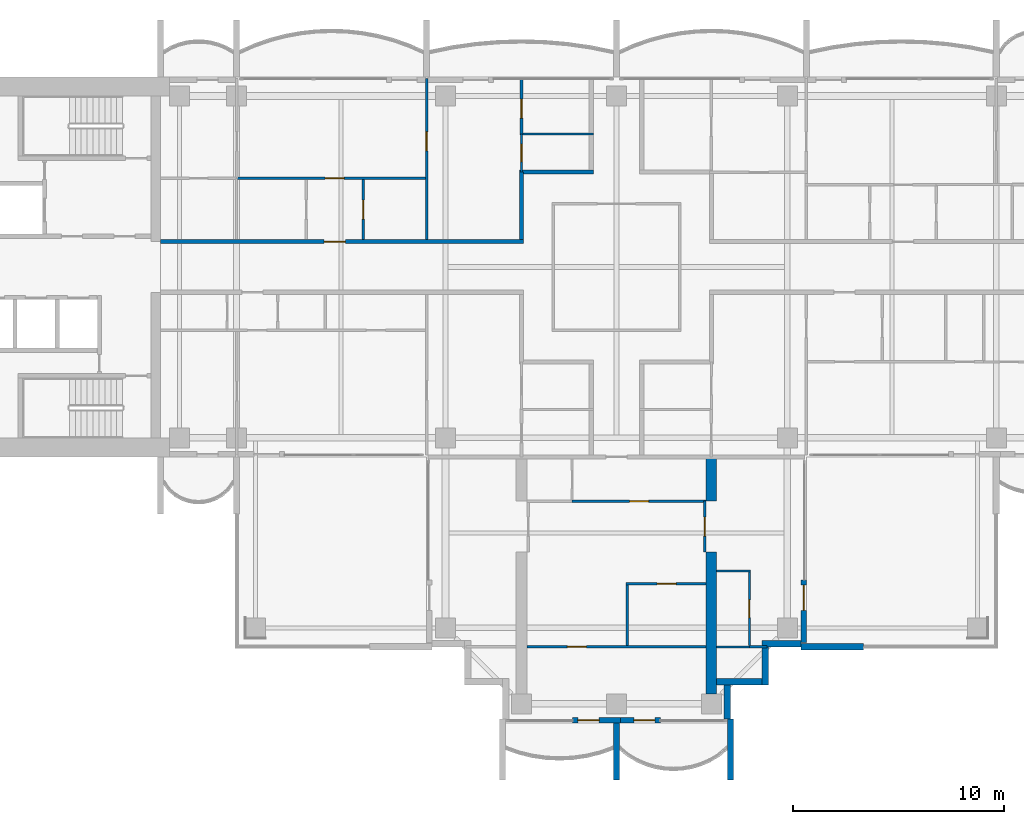
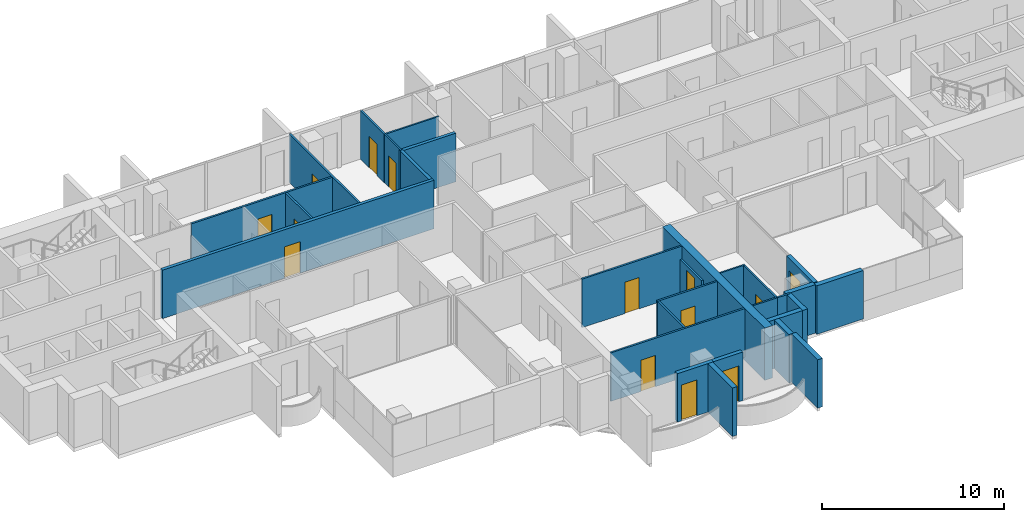
# One storey, part 10 of 17: 29 walls, 14 doors, 14 openings.
"""IFC4 building model written with IfcOpenShell, lengths in metres."""

from ifc_helpers import new_model, si_unit, direction, frame, frame_2d, origin, place, context, subcontext, project, spatial, polyline, rectangle, outline, extrude, material, layer, layer_set, material_profile, profile_set, type_object, element, fill, save


model = new_model("IFC4")

# Units and contexts
model_context = context("Model", 3, precision=1e-05, world=origin(), true_north=direction((0.0, 1.0)))
body_context = subcontext(model_context, "Body", "Model", "MODEL_VIEW")
ifc_project = project(units=[si_unit("LENGTHUNIT", "METRE"), si_unit("AREAUNIT", "SQUARE_METRE"), si_unit("VOLUMEUNIT", "CUBIC_METRE"), si_unit("PLANEANGLEUNIT", "RADIAN"), si_unit("MASSUNIT", "GRAM", prefix="KILO")], contexts=[model_context])

# Site, building, storey
site_placement = place(None, origin())
site = spatial("IfcSite", under=ifc_project, at=site_placement, CompositionType="ELEMENT")
building_placement = place(site_placement, origin())
building = spatial("IfcBuilding", under=site, at=building_placement, Name="Perihelion Cross Residences", CompositionType="ELEMENT")
storey_placement = place(building_placement, frame((0.0, 0.0, 184.10009765625)))
storey = spatial("IfcBuildingStorey", under=building, at=storey_placement, Name="L45", CompositionType="ELEMENT", Elevation=184.10009765625)

# Wall, opening, door
ifc_material_1 = material(Name="Plasterboard partition")
ifc_layer_1 = layer(ifc_material_1, 0.199951171875)
ifc_layer_set_1 = layer_set([ifc_layer_1], Name="Apartment separation wall 200")
wall_type_1 = type_object("IfcWallType", Name="Apartment separation wall 200", PredefinedType="PARTITIONING", material=ifc_layer_set_1)
wall_1_placement = place(storey_placement, frame((-21.60009765625, 1.199951171875, 0.0), z_axis=(0.0, 0.0, 1.0), x_axis=(1.0, 0.0, 0.0)))
wall_1 = element("IfcWall", 1, at=wall_1_placement, inside=storey, type_object=wall_type_1, Name="Partition L45 W013", PredefinedType="PARTITIONING", context=body_context, shape_type="SweptSolid", body=[
    extrude(rectangle(XDim=17.2001953125, YDim=0.199951171875, at=frame_2d((8.60009765625, 0.0))), origin(), (0.0, 0.0, 1.0), 3.25),
])
opening_1_placement = place(wall_1_placement, frame((7.75, 0.0, 0.0)))
opening_1 = element("IfcOpeningElement", 2, at=opening_1_placement, cuts=wall_1, Name="Opening L45.A42", PredefinedType="OPENING", context=body_context, shape_type="SweptSolid", body=[
    extrude(rectangle(XDim=1.0, YDim=2.10009765625, at=frame_2d((0.5, 1.050048828125))), frame((0.0, 0.10986328125, 0.0), z_axis=(0.0, -1.0, 0.0), x_axis=(1.0, 0.0, 0.0)), (0.0, 0.0, 1.0), 0.219970703125),
])
ifc_material_2 = material(Name="Timber door leaf", Category="wood")
door_type_1 = type_object("IfcDoorType", Name="Flat entrance door 1000 x 2100", OperationType="SINGLE_SWING_LEFT", PredefinedType="DOOR", material=ifc_material_2)
door_1_placement = place(opening_1_placement, origin())
door_1 = element("IfcDoor", 3, at=door_1_placement, inside=storey, type_object=door_type_1, Name="Door L45.A42", OperationType="SINGLE_SWING_RIGHT", OverallHeight=2.10009765625, OverallWidth=1.0, PredefinedType="DOOR", context=body_context, shape_type="SweptSolid", body=[
    extrude(rectangle(XDim=1.0, YDim=2.10009765625, at=frame_2d((0.5, 1.050048828125))), frame((0.0, 0.02490234375, 0.0), z_axis=(0.0, -1.0, 0.0), x_axis=(1.0, 0.0, 0.0)), (0.0, 0.0, 1.0), 0.050048828125),
])
fill(opening_1, door_1)

# Walls
wall_2_placement = place(storey_placement, frame((-4.5, 1.300048828125, 0.0), z_axis=(0.0, 0.0, 1.0), x_axis=(0.0, 1.0, 0.0)))
element("IfcWall", 4, at=wall_2_placement, inside=storey, type_object=wall_type_1, Name="Partition L45 W014", PredefinedType="PARTITIONING", context=body_context, shape_type="SweptSolid", body=[
    extrude(rectangle(XDim=3.199951171875, YDim=0.199951171875, at=frame_2d((1.60009765625, 0.0))), origin(), (0.0, 0.0, 1.0), 3.25),
])
wall_3_placement = place(storey_placement, frame((-4.60009765625, 4.5, 0.0), z_axis=(0.0, 0.0, 1.0), x_axis=(1.0, 0.0, 0.0)))
element("IfcWall", 5, at=wall_3_placement, inside=storey, type_object=wall_type_1, Name="Partition L45 W015", PredefinedType="PARTITIONING", context=body_context, shape_type="SweptSolid", body=[
    extrude(rectangle(XDim=3.5, YDim=0.199951171875, at=frame_2d((1.75, 0.0))), origin(), (0.0, 0.0, 1.0), 3.25),
])

# Wall, opening, door
ifc_material_3 = material(Name="Concrete C30/37, bronze-clad", Category="concrete")
ifc_layer_2 = layer(ifc_material_3, 0.25)
ifc_layer_set_2 = layer_set([ifc_layer_2], Name="Bronze-clad pier wall 250")
wall_type_2 = type_object("IfcWallType", Name="Bronze-clad pier wall 250", PredefinedType="SOLIDWALL", material=ifc_layer_set_2)
wall_4_placement = place(storey_placement, frame((-2.074951171875, -21.47509765625, 0.0), z_axis=(0.0, 0.0, 1.0), x_axis=(1.0, 0.0, 0.0)))
wall_4 = element("IfcWall", 6, at=wall_4_placement, inside=storey, type_object=wall_type_2, Name="Wall FW1 L45 south tip south bay 1 pier", PredefinedType="SOLIDWALL", context=body_context, shape_type="SweptSolid", body=[
    extrude(rectangle(XDim=2.27490234375, YDim=0.25, at=frame_2d((1.137451171875, 0.0))), origin(), (0.0, 0.0, 1.0), 3.25),
])
opening_2_placement = place(wall_4_placement, frame((0.25, 0.0, 0.0)))
opening_2 = element("IfcOpeningElement", 7, at=opening_2_placement, cuts=wall_4, Name="Opening L45.E10", PredefinedType="OPENING", context=body_context, shape_type="SweptSolid", body=[
    extrude(rectangle(XDim=1.0, YDim=2.39990234375, at=frame_2d((0.5, 1.199951171875))), frame((0.0, 0.135009765625, 0.0), z_axis=(0.0, -1.0, 0.0), x_axis=(1.0, 0.0, 0.0)), (0.0, 0.0, 1.0), 0.27001953125),
])
ifc_material_4 = material(Name="Bronze anodised aluminium, glazed", Category="aluminium")
door_type_2 = type_object("IfcDoorType", Name="Balcony door 1000 x 2400", OperationType="NOTDEFINED", PredefinedType="DOOR", material=ifc_material_4)
door_2_placement = place(opening_2_placement, origin())
door_2 = element("IfcDoor", 8, at=door_2_placement, inside=storey, type_object=door_type_2, Name="Door L45.E10 south tip south bay 1", OperationType="SINGLE_SWING_RIGHT", OverallHeight=2.39990234375, OverallWidth=1.0, PredefinedType="DOOR", context=body_context, shape_type="SweptSolid", body=[
    extrude(rectangle(XDim=1.0, YDim=2.39990234375, at=frame_2d((0.5, 1.199951171875))), frame((0.0, 0.02490234375, 0.0), z_axis=(0.0, -1.0, 0.0), x_axis=(1.0, 0.0, 0.0)), (0.0, 0.0, 1.0), 0.050048828125),
])
fill(opening_2, door_2)

wall_5_placement = place(storey_placement, frame((0.199951171875, -21.47509765625, 0.0), z_axis=(0.0, 0.0, 1.0), x_axis=(1.0, 0.0, 0.0)))
wall_5 = element("IfcWall", 9, at=wall_5_placement, inside=storey, type_object=wall_type_2, Name="Wall FW1 L45 south tip south bay 2 pier", PredefinedType="SOLIDWALL", context=body_context, shape_type="SweptSolid", body=[
    extrude(rectangle(XDim=1.875, YDim=0.25, at=frame_2d((0.9375, 0.0))), origin(), (0.0, 0.0, 1.0), 3.25),
])
opening_3_placement = place(wall_5_placement, frame((0.625, 0.0, 0.0)))
opening_3 = element("IfcOpeningElement", 10, at=opening_3_placement, cuts=wall_5, Name="Opening L45.E11", PredefinedType="OPENING", context=body_context, shape_type="SweptSolid", body=[
    extrude(rectangle(XDim=1.0, YDim=2.39990234375, at=frame_2d((0.5, 1.199951171875))), frame((0.0, 0.135009765625, 0.0), z_axis=(0.0, -1.0, 0.0), x_axis=(1.0, 0.0, 0.0)), (0.0, 0.0, 1.0), 0.27001953125),
])
door_3_placement = place(opening_3_placement, origin())
door_3 = element("IfcDoor", 11, at=door_3_placement, inside=storey, type_object=door_type_2, Name="Door L45.E11 south tip south bay 2", OperationType="SINGLE_SWING_LEFT", OverallHeight=2.39990234375, OverallWidth=1.0, PredefinedType="DOOR", context=body_context, shape_type="SweptSolid", body=[
    extrude(rectangle(XDim=1.0, YDim=2.39990234375, at=frame_2d((0.5, 1.199951171875))), frame((0.0, 0.02490234375, 0.0), z_axis=(0.0, -1.0, 0.0), x_axis=(1.0, 0.0, 0.0)), (0.0, 0.0, 1.0), 0.050048828125),
])
fill(opening_3, door_3)

wall_6_placement = place(storey_placement, frame((8.875, -17.800048828125, 0.0), z_axis=(0.0, 0.0, 1.0), x_axis=(0.0, 1.0, 0.0)))
wall_6 = element("IfcWall", 12, at=wall_6_placement, inside=storey, type_object=wall_type_2, Name="Wall FW1 L45 south side east bay 1 pier", PredefinedType="SOLIDWALL", context=body_context, shape_type="SweptSolid", body=[
    extrude(rectangle(XDim=2.97509765625, YDim=0.25, at=frame_2d((1.487548828125, 0.0))), origin(), (0.0, 0.0, 1.0), 3.25),
])
opening_4_placement = place(wall_6_placement, frame((1.52490234375, 0.0, 0.0)))
opening_4 = element("IfcOpeningElement", 13, at=opening_4_placement, cuts=wall_6, Name="Opening L45.E12", PredefinedType="OPENING", context=body_context, shape_type="SweptSolid", body=[
    extrude(rectangle(XDim=1.199951171875, YDim=2.39990234375, at=frame_2d((0.60009765625, 1.199951171875))), frame((0.0, 0.135009765625, 0.0), z_axis=(0.0, -1.0, 0.0), x_axis=(1.0, 0.0, 0.0)), (0.0, 0.0, 1.0), 0.27001953125),
])
ifc_material_5 = material(Name="Bronze anodised aluminium, glazed", Category="aluminium")
door_type_3 = type_object("IfcDoorType", Name="Balcony door 1200 x 2400", OperationType="NOTDEFINED", PredefinedType="DOOR", material=ifc_material_5)
door_4_placement = place(opening_4_placement, origin())
door_4 = element("IfcDoor", 14, at=door_4_placement, inside=storey, type_object=door_type_3, Name="Door L45.E12 south side east bay 1", OperationType="SINGLE_SWING_RIGHT", OverallHeight=2.39990234375, OverallWidth=1.199951171875, PredefinedType="DOOR", context=body_context, shape_type="SweptSolid", body=[
    extrude(rectangle(XDim=1.199951171875, YDim=2.39990234375, at=frame_2d((0.60009765625, 1.199951171875))), frame((0.0, 0.02490234375, 0.0), z_axis=(0.0, -1.0, 0.0), x_axis=(1.0, 0.0, 0.0)), (0.0, 0.0, 1.0), 0.050048828125),
])
fill(opening_4, door_4)

# Walls
ifc_material_6 = material(Name="Concrete C30/37, bronze-clad", Category="concrete")
ifc_layer_3 = layer(ifc_material_6, 0.300048828125)
ifc_layer_set_3 = layer_set([ifc_layer_3], Name="Bronze-clad serration wall 300")
wall_type_3 = type_object("IfcWallType", Name="Bronze-clad serration wall 300", PredefinedType="SOLIDWALL", material=ifc_layer_set_3)
wall_7_placement = place(storey_placement, frame((5.25, -21.419921875, 0.0), z_axis=(0.0, 0.0, 1.0), x_axis=(0.0, 1.0, 0.0)))
element("IfcWall", 15, at=wall_7_placement, inside=storey, type_object=wall_type_3, Name="Wall SR1 L45 south corner south-east 1", PredefinedType="SOLIDWALL", context=body_context, shape_type="SweptSolid", body=[
    extrude(rectangle(XDim=1.619873046875, YDim=0.300048828125, at=frame_2d((0.81005859375, 0.0))), origin(), (0.0, 0.0, 1.0), 3.25),
])
wall_8_placement = place(storey_placement, frame((4.75, -19.64990234375, 0.0), z_axis=(0.0, 0.0, 1.0), x_axis=(1.0, 0.0, 0.0)))
element("IfcWall", 16, at=wall_8_placement, inside=storey, type_object=wall_type_3, Name="Wall SR1 L45 south corner south-east 2", PredefinedType="SOLIDWALL", context=body_context, shape_type="SweptSolid", body=[
    extrude(rectangle(XDim=2.14990234375, YDim=0.300048828125, at=frame_2d((1.074951171875, 0.0))), origin(), (0.0, 0.0, 1.0), 3.25),
])
wall_9_placement = place(storey_placement, frame((7.050048828125, -19.800048828125, 0.0), z_axis=(0.0, 0.0, 1.0), x_axis=(0.0, 1.0, 0.0)))
element("IfcWall", 17, at=wall_9_placement, inside=storey, type_object=wall_type_3, Name="Wall SR1 L45 south corner south-east 3", PredefinedType="SOLIDWALL", context=body_context, shape_type="SweptSolid", body=[
    extrude(rectangle(XDim=1.800048828125, YDim=0.300048828125, at=frame_2d((0.89990234375, 0.0))), origin(), (0.0, 0.0, 1.0), 3.25),
])
wall_10_placement = place(storey_placement, frame((6.89990234375, -17.85009765625, 0.0), z_axis=(0.0, 0.0, 1.0), x_axis=(1.0, 0.0, 0.0)))
element("IfcWall", 18, at=wall_10_placement, inside=storey, type_object=wall_type_3, Name="Wall SR1 L45 south corner south-east 4", PredefinedType="SOLIDWALL", context=body_context, shape_type="SweptSolid", body=[
    extrude(rectangle(XDim=1.85009765625, YDim=0.300048828125, at=frame_2d((0.925048828125, 0.0))), origin(), (0.0, 0.0, 1.0), 3.25),
])

# Wall, opening, door
ifc_material_7 = material(Name="Plasterboard partition")
ifc_layer_4 = layer(ifc_material_7, 0.1201171875)
ifc_layer_set_4 = layer_set([ifc_layer_4], Name="Infill panel 120")
wall_type_4 = type_object("IfcWallType", Name="Infill panel 120", PredefinedType="PARTITIONING", material=ifc_layer_set_4)
wall_11_placement = place(storey_placement, frame((4.18994140625, -11.10009765625, 0.0), z_axis=(0.0, 0.0, 1.0), x_axis=(0.0, -1.0, 0.0)))
wall_11 = element("IfcWall", 19, at=wall_11_placement, inside=storey, type_object=wall_type_4, Name="Partition L45 WI01", PredefinedType="PARTITIONING", context=body_context, shape_type="SweptSolid", body=[
    extrude(rectangle(XDim=2.39990234375, YDim=0.1201171875, at=frame_2d((1.199951171875, 0.0))), origin(), (0.0, 0.0, 1.0), 2.39990234375),
])
opening_5_placement = place(wall_11_placement, frame((0.75, 0.0, 0.0)))
opening_5 = element("IfcOpeningElement", 20, at=opening_5_placement, cuts=wall_11, Name="Opening L45.A44", PredefinedType="OPENING", context=body_context, shape_type="SweptSolid", body=[
    extrude(rectangle(XDim=0.89990234375, YDim=2.10009765625, at=frame_2d((0.449951171875, 1.050048828125))), frame((0.0, 0.070068359375, 0.0), z_axis=(0.0, -1.0, 0.0), x_axis=(1.0, 0.0, 0.0)), (0.0, 0.0, 1.0), 0.14013671875),
])
ifc_material_8 = material(Name="Timber door leaf", Category="wood")
door_type_4 = type_object("IfcDoorType", Name="Interior room door 900 x 2100", OperationType="SINGLE_SWING_LEFT", PredefinedType="DOOR", material=ifc_material_8)
door_5_placement = place(opening_5_placement, origin())
door_5 = element("IfcDoor", 21, at=door_5_placement, inside=storey, type_object=door_type_4, Name="Door L45.A44", OperationType="SINGLE_SWING_LEFT", OverallHeight=2.10009765625, OverallWidth=0.89990234375, PredefinedType="DOOR", context=body_context, shape_type="SweptSolid", body=[
    extrude(rectangle(XDim=0.89990234375, YDim=2.10009765625, at=frame_2d((0.449951171875, 1.050048828125))), frame((0.0, 0.02490234375, 0.0), z_axis=(0.0, -1.0, 0.0), x_axis=(1.0, 0.0, 0.0)), (0.0, 0.0, 1.0), 0.050048828125),
])
fill(opening_5, door_5)

ifc_material_9 = material(Name="Plasterboard partition")
ifc_layer_5 = layer(ifc_material_9, 0.1201171875)
ifc_layer_set_5 = layer_set([ifc_layer_5], Name="Partition wall 120")
wall_type_5 = type_object("IfcWallType", Name="Partition wall 120", PredefinedType="PARTITIONING", material=ifc_layer_set_5)
wall_12_placement = place(storey_placement, frame((-12.0, 1.300048828125, 0.0), z_axis=(0.0, 0.0, 1.0), x_axis=(0.0, 1.0, 0.0)))
wall_12 = element("IfcWall", 22, at=wall_12_placement, inside=storey, type_object=wall_type_5, Name="Partition L45 W043", PredefinedType="PARTITIONING", context=body_context, shape_type="SweptSolid", body=[
    extrude(rectangle(XDim=2.83984375, YDim=0.1201171875, at=frame_2d((1.419921875, 0.0))), origin(), (0.0, 0.0, 1.0), 3.25),
])
opening_6_placement = place(wall_12_placement, frame((0.969970703125, 0.0, 0.0)))
opening_6 = element("IfcOpeningElement", 23, at=opening_6_placement, cuts=wall_12, Name="Opening L45.A20", PredefinedType="OPENING", context=body_context, shape_type="SweptSolid", body=[
    extrude(rectangle(XDim=0.89990234375, YDim=2.10009765625, at=frame_2d((0.449951171875, 1.050048828125))), frame((0.0, 0.070068359375, 0.0), z_axis=(0.0, -1.0, 0.0), x_axis=(1.0, 0.0, 0.0)), (0.0, 0.0, 1.0), 0.14013671875),
])
door_6_placement = place(opening_6_placement, origin())
door_6 = element("IfcDoor", 24, at=door_6_placement, inside=storey, type_object=door_type_4, Name="Door L45.A20", OperationType="SINGLE_SWING_LEFT", OverallHeight=2.10009765625, OverallWidth=0.89990234375, PredefinedType="DOOR", context=body_context, shape_type="SweptSolid", body=[
    extrude(rectangle(XDim=0.89990234375, YDim=2.10009765625, at=frame_2d((0.449951171875, 1.050048828125))), frame((0.0, 0.02490234375, 0.0), z_axis=(0.0, -1.0, 0.0), x_axis=(1.0, 0.0, 0.0)), (0.0, 0.0, 1.0), 0.050048828125),
])
fill(opening_6, door_6)

wall_13_placement = place(storey_placement, frame((-18.0, 4.199951171875, 0.0), z_axis=(0.0, 0.0, 1.0), x_axis=(1.0, 0.0, 0.0)))
wall_13 = element("IfcWall", 25, at=wall_13_placement, inside=storey, type_object=wall_type_5, Name="Partition L45 W044", PredefinedType="PARTITIONING", context=body_context, shape_type="SweptSolid", body=[
    extrude(rectangle(XDim=9.06005859375, YDim=0.1201171875, at=frame_2d((4.530029296875, 0.0))), origin(), (0.0, 0.0, 1.0), 3.25),
])
opening_7_placement = place(wall_13_placement, frame((4.199951171875, 0.0, 0.0)))
opening_7 = element("IfcOpeningElement", 26, at=opening_7_placement, cuts=wall_13, Name="Opening L45.A21", PredefinedType="OPENING", context=body_context, shape_type="SweptSolid", body=[
    extrude(rectangle(XDim=0.89990234375, YDim=2.10009765625, at=frame_2d((0.449951171875, 1.050048828125))), frame((0.0, 0.070068359375, 0.0), z_axis=(0.0, -1.0, 0.0), x_axis=(1.0, 0.0, 0.0)), (0.0, 0.0, 1.0), 0.14013671875),
])
door_7_placement = place(opening_7_placement, origin())
door_7 = element("IfcDoor", 27, at=door_7_placement, inside=storey, type_object=door_type_4, Name="Door L45.A21", OperationType="SINGLE_SWING_RIGHT", OverallHeight=2.10009765625, OverallWidth=0.89990234375, PredefinedType="DOOR", context=body_context, shape_type="SweptSolid", body=[
    extrude(rectangle(XDim=0.89990234375, YDim=2.10009765625, at=frame_2d((0.449951171875, 1.050048828125))), frame((0.0, 0.02490234375, 0.0), z_axis=(0.0, -1.0, 0.0), x_axis=(1.0, 0.0, 0.0)), (0.0, 0.0, 1.0), 0.050048828125),
])
fill(opening_7, door_7)

wall_14_placement = place(storey_placement, frame((-9.0, 8.919921875, 0.0), z_axis=(0.0, 0.0, 1.0), x_axis=(0.0, -1.0, 0.0)))
wall_14 = element("IfcWall", 28, at=wall_14_placement, inside=storey, type_object=wall_type_5, Name="Partition L45 W045", PredefinedType="PARTITIONING", context=body_context, shape_type="SweptSolid", body=[
    extrude(rectangle(XDim=7.619873046875, YDim=0.1201171875, at=frame_2d((3.81005859375, 0.0))), origin(), (0.0, 0.0, 1.0), 3.25),
])
opening_8_placement = place(wall_14_placement, frame((2.52001953125, 0.0, 0.0)))
opening_8 = element("IfcOpeningElement", 29, at=opening_8_placement, cuts=wall_14, Name="Opening L45.A22", PredefinedType="OPENING", context=body_context, shape_type="SweptSolid", body=[
    extrude(rectangle(XDim=0.89990234375, YDim=2.10009765625, at=frame_2d((0.449951171875, 1.050048828125))), frame((0.0, 0.070068359375, 0.0), z_axis=(0.0, -1.0, 0.0), x_axis=(1.0, 0.0, 0.0)), (0.0, 0.0, 1.0), 0.14013671875),
])
door_8_placement = place(opening_8_placement, origin())
door_8 = element("IfcDoor", 30, at=door_8_placement, inside=storey, type_object=door_type_4, Name="Door L45.A22", OperationType="SINGLE_SWING_RIGHT", OverallHeight=2.10009765625, OverallWidth=0.89990234375, PredefinedType="DOOR", context=body_context, shape_type="SweptSolid", body=[
    extrude(rectangle(XDim=0.89990234375, YDim=2.10009765625, at=frame_2d((0.449951171875, 1.050048828125))), frame((0.0, 0.02490234375, 0.0), z_axis=(0.0, -1.0, 0.0), x_axis=(1.0, 0.0, 0.0)), (0.0, 0.0, 1.0), 0.050048828125),
])
fill(opening_8, door_8)

wall_15_placement = place(storey_placement, frame((-4.5, 8.919921875, 0.0), z_axis=(0.0, 0.0, 1.0), x_axis=(0.0, -1.0, 0.0)))
wall_15 = element("IfcWall", 31, at=wall_15_placement, inside=storey, type_object=wall_type_5, Name="Partition L45 W051", PredefinedType="PARTITIONING", context=body_context, shape_type="SweptSolid", body=[
    extrude(rectangle(XDim=2.619873046875, YDim=0.1201171875, at=frame_2d((1.31005859375, 0.0))), origin(), (0.0, 0.0, 1.0), 3.25),
])
opening_9_placement = place(wall_15_placement, frame((0.969970703125, 0.0, 0.0)))
opening_9 = element("IfcOpeningElement", 32, at=opening_9_placement, cuts=wall_15, Name="Opening L45.A23", PredefinedType="OPENING", context=body_context, shape_type="SweptSolid", body=[
    extrude(rectangle(XDim=0.89990234375, YDim=2.10009765625, at=frame_2d((0.449951171875, 1.050048828125))), frame((0.0, 0.070068359375, 0.0), z_axis=(0.0, -1.0, 0.0), x_axis=(1.0, 0.0, 0.0)), (0.0, 0.0, 1.0), 0.14013671875),
])
door_9_placement = place(opening_9_placement, origin())
door_9 = element("IfcDoor", 33, at=door_9_placement, inside=storey, type_object=door_type_4, Name="Door L45.A23", OperationType="SINGLE_SWING_LEFT", OverallHeight=2.10009765625, OverallWidth=0.89990234375, PredefinedType="DOOR", context=body_context, shape_type="SweptSolid", body=[
    extrude(rectangle(XDim=0.89990234375, YDim=2.10009765625, at=frame_2d((0.449951171875, 1.050048828125))), frame((0.0, 0.02490234375, 0.0), z_axis=(0.0, -1.0, 0.0), x_axis=(1.0, 0.0, 0.0)), (0.0, 0.0, 1.0), 0.050048828125),
])
fill(opening_9, door_9)

wall_16_placement = place(storey_placement, frame((4.25, -11.10009765625, 0.0), z_axis=(0.0, 0.0, 1.0), x_axis=(-1.0, 0.0, 0.0)))
wall_16 = element("IfcWall", 34, at=wall_16_placement, inside=storey, type_object=wall_type_5, Name="Partition L45 W064", PredefinedType="PARTITIONING", context=body_context, shape_type="SweptSolid", body=[
    extrude(rectangle(XDim=6.35009765625, YDim=0.1201171875, at=frame_2d((3.175048828125, 0.0))), origin(), (0.0, 0.0, 1.0), 3.25),
])
opening_10_placement = place(wall_16_placement, frame((2.72509765625, 0.0, 0.0)))
opening_10 = element("IfcOpeningElement", 35, at=opening_10_placement, cuts=wall_16, Name="Opening L45.A36", PredefinedType="OPENING", context=body_context, shape_type="SweptSolid", body=[
    extrude(rectangle(XDim=0.89990234375, YDim=2.10009765625, at=frame_2d((0.449951171875, 1.050048828125))), frame((0.0, 0.070068359375, 0.0), z_axis=(0.0, -1.0, 0.0), x_axis=(1.0, 0.0, 0.0)), (0.0, 0.0, 1.0), 0.14013671875),
])
door_10_placement = place(opening_10_placement, origin())
door_10 = element("IfcDoor", 36, at=door_10_placement, inside=storey, type_object=door_type_4, Name="Door L45.A36", OperationType="SINGLE_SWING_LEFT", OverallHeight=2.10009765625, OverallWidth=0.89990234375, PredefinedType="DOOR", context=body_context, shape_type="SweptSolid", body=[
    extrude(rectangle(XDim=0.89990234375, YDim=2.10009765625, at=frame_2d((0.449951171875, 1.050048828125))), frame((0.0, 0.02490234375, 0.0), z_axis=(0.0, -1.0, 0.0), x_axis=(1.0, 0.0, 0.0)), (0.0, 0.0, 1.0), 0.050048828125),
])
fill(opening_10, door_10)

wall_17_placement = place(storey_placement, frame((4.25, -15.0, 0.0), z_axis=(0.0, 0.0, 1.0), x_axis=(-1.0, 0.0, 0.0)))
wall_17 = element("IfcWall", 37, at=wall_17_placement, inside=storey, type_object=wall_type_5, Name="Partition L45 W066", PredefinedType="PARTITIONING", context=body_context, shape_type="SweptSolid", body=[
    extrude(rectangle(XDim=3.81005859375, YDim=0.1201171875, at=frame_2d((1.905029296875, 0.0))), origin(), (0.0, 0.0, 1.0), 3.25),
])
opening_11_placement = place(wall_17_placement, frame((1.425048828125, 0.0, 0.0)))
opening_11 = element("IfcOpeningElement", 38, at=opening_11_placement, cuts=wall_17, Name="Opening L45.A37", PredefinedType="OPENING", context=body_context, shape_type="SweptSolid", body=[
    extrude(rectangle(XDim=0.89990234375, YDim=2.10009765625, at=frame_2d((0.449951171875, 1.050048828125))), frame((0.0, 0.070068359375, 0.0), z_axis=(0.0, -1.0, 0.0), x_axis=(1.0, 0.0, 0.0)), (0.0, 0.0, 1.0), 0.14013671875),
])
door_11_placement = place(opening_11_placement, origin())
door_11 = element("IfcDoor", 39, at=door_11_placement, inside=storey, type_object=door_type_4, Name="Door L45.A37", OperationType="SINGLE_SWING_RIGHT", OverallHeight=2.10009765625, OverallWidth=0.89990234375, PredefinedType="DOOR", context=body_context, shape_type="SweptSolid", body=[
    extrude(rectangle(XDim=0.89990234375, YDim=2.10009765625, at=frame_2d((0.449951171875, 1.050048828125))), frame((0.0, 0.02490234375, 0.0), z_axis=(0.0, -1.0, 0.0), x_axis=(1.0, 0.0, 0.0)), (0.0, 0.0, 1.0), 0.050048828125),
])
fill(opening_11, door_11)

# Wall
wall_18_placement = place(storey_placement, frame((0.5, -15.06005859375, 0.0), z_axis=(0.0, 0.0, 1.0), x_axis=(0.0, -1.0, 0.0)))
element("IfcWall", 40, at=wall_18_placement, inside=storey, type_object=wall_type_5, Name="Partition L45 W067", PredefinedType="PARTITIONING", context=body_context, shape_type="SweptSolid", body=[
    extrude(rectangle(XDim=2.8798828125, YDim=0.1201171875, at=frame_2d((1.43994140625, 0.0))), origin(), (0.0, 0.0, 1.0), 3.25),
])

# Wall, opening, door
wall_19_placement = place(storey_placement, frame((4.25, -18.0, 0.0), z_axis=(0.0, 0.0, 1.0), x_axis=(-1.0, 0.0, 0.0)))
wall_19 = element("IfcWall", 41, at=wall_19_placement, inside=storey, type_object=wall_type_5, Name="Partition L45 W068", PredefinedType="PARTITIONING", context=body_context, shape_type="SweptSolid", body=[
    extrude(rectangle(XDim=8.5, YDim=0.1201171875, at=frame_2d((4.25, 0.0))), origin(), (0.0, 0.0, 1.0), 3.25),
])
opening_12_placement = place(wall_19_placement, frame((5.675048828125, 0.0, 0.0)))
opening_12 = element("IfcOpeningElement", 42, at=opening_12_placement, cuts=wall_19, Name="Opening L45.A38", PredefinedType="OPENING", context=body_context, shape_type="SweptSolid", body=[
    extrude(rectangle(XDim=0.89990234375, YDim=2.10009765625, at=frame_2d((0.449951171875, 1.050048828125))), frame((0.0, 0.070068359375, 0.0), z_axis=(0.0, -1.0, 0.0), x_axis=(1.0, 0.0, 0.0)), (0.0, 0.0, 1.0), 0.14013671875),
])
door_12_placement = place(opening_12_placement, origin())
door_12 = element("IfcDoor", 43, at=door_12_placement, inside=storey, type_object=door_type_4, Name="Door L45.A38", OperationType="SINGLE_SWING_LEFT", OverallHeight=2.10009765625, OverallWidth=0.89990234375, PredefinedType="DOOR", context=body_context, shape_type="SweptSolid", body=[
    extrude(rectangle(XDim=0.89990234375, YDim=2.10009765625, at=frame_2d((0.449951171875, 1.050048828125))), frame((0.0, 0.02490234375, 0.0), z_axis=(0.0, -1.0, 0.0), x_axis=(1.0, 0.0, 0.0)), (0.0, 0.0, 1.0), 0.050048828125),
])
fill(opening_12, door_12)

# Walls
wall_20_placement = place(storey_placement, frame((7.1201171875, -18.0, 0.0), z_axis=(0.0, 0.0, 1.0), x_axis=(-1.0, 0.0, 0.0)))
element("IfcWall", 44, at=wall_20_placement, inside=storey, type_object=wall_type_5, Name="Partition L45 W071", PredefinedType="PARTITIONING", context=body_context, shape_type="SweptSolid", body=[
    extrude(rectangle(XDim=0.820068359375, YDim=0.1201171875, at=frame_2d((0.41015625, 0.0))), origin(), (0.0, 0.0, 1.0), 3.25),
])
ifc_material_10 = material(Name="Precast concrete C50/60", Category="concrete")
ifc_layer_6 = layer(ifc_material_10, 0.300048828125)
ifc_layer_set_6 = layer_set([ifc_layer_6], Name="Precast concrete C50/60 blade wall 300")
wall_type_6 = type_object("IfcWallType", Name="Precast concrete C50/60 blade wall 300", PredefinedType="SOLIDWALL", material=ifc_layer_set_6)
wall_21_placement = place(storey_placement, frame((0.0, -21.60009765625, 0.0), z_axis=(0.0, 0.0, 1.0), x_axis=(0.0, -1.0, 0.0)))
element("IfcWall", 45, at=wall_21_placement, inside=storey, type_object=wall_type_6, Name="Wall BL1 L45 no. 8", PredefinedType="SOLIDWALL", context=body_context, shape_type="SweptSolid", body=[
    extrude(rectangle(XDim=2.699951171875, YDim=0.300048828125, at=frame_2d((1.35009765625, 0.0))), origin(), (0.0, 0.0, 1.0), 3.25),
])
wall_22_placement = place(storey_placement, frame((5.39990234375, -21.419921875, 0.0), z_axis=(0.0, 0.0, 1.0), x_axis=(0.0, -1.0, 0.0)))
element("IfcWall", 46, at=wall_22_placement, inside=storey, type_object=wall_type_6, Name="Wall BL1 L45 no. 14", PredefinedType="SOLIDWALL", context=body_context, shape_type="SweptSolid", body=[
    extrude(rectangle(XDim=2.880126953125, YDim=0.300048828125, at=frame_2d((1.43994140625, 0.0))), origin(), (0.0, 0.0, 1.0), 3.25),
])
wall_23_placement = place(storey_placement, frame((8.75, -18.0, 0.0), z_axis=(0.0, 0.0, 1.0), x_axis=(1.0, 0.0, 0.0)))
element("IfcWall", 47, at=wall_23_placement, inside=storey, type_object=wall_type_6, Name="Wall BL1 L45 no. 15", PredefinedType="SOLIDWALL", context=body_context, shape_type="SweptSolid", body=[
    extrude(rectangle(XDim=2.949951171875, YDim=0.300048828125, at=frame_2d((1.47509765625, 0.0))), origin(), (0.0, 0.0, 1.0), 3.25),
])
ifc_material_11 = material(Name="Concrete C60/75", Category="concrete")
ifc_material_profile = material_profile(ifc_material_11, outline(polyline([(0.0, 0.0), (6.72509765625, 0.0), (6.72509765625, 2.64990234375), (9.125, 2.64990234375), (9.125, 0.0), (11.22509765625, 0.0), (11.22509765625, 3.5), (0.0, 3.5), (0.0, 0.0)])), Name="Tip spine wall")
ifc_profile_set = profile_set([ifc_material_profile], Name="Concrete C60/75")
wall_type_7 = type_object("IfcWallType", Name="Tip spine wall 500 with 1 door openings 11225 long 3500 high concrete C60/75", PredefinedType="SHEAR", material=ifc_profile_set)
wall_24_placement = place(storey_placement, frame((4.25, -20.22509765625, -0.25), z_axis=(1.0, 0.0, 0.0), x_axis=(0.0, 1.0, 0.0)))
element("IfcWall", 48, at=wall_24_placement, inside=storey, type_object=wall_type_7, Name="Shear wall SW41 L45 south east", PredefinedType="SHEAR", context=body_context, shape_type="SweptSolid", body=[
    extrude(outline(polyline([(0.0, 0.0), (6.72509765625, 0.0), (6.72509765625, 2.64990234375), (9.125, 2.64990234375), (9.125, 0.0), (11.22509765625, 0.0), (11.22509765625, 3.5), (0.0, 3.5), (0.0, 0.0)])), origin(), (0.0, 0.0, 1.0), 0.5),
])

# Wall, opening, door
ifc_material_12 = material(Name="Plasterboard partition")
ifc_layer_7 = layer(ifc_material_12, 0.10009765625)
ifc_layer_set_7 = layer_set([ifc_layer_7], Name="Wet room wall 100")
wall_type_8 = type_object("IfcWallType", Name="Wet room wall 100", PredefinedType="PARTITIONING", material=ifc_layer_set_7)
wall_25_placement = place(storey_placement, frame((-4.5, 6.300048828125, 0.0), z_axis=(0.0, 0.0, 1.0), x_axis=(0.0, -1.0, 0.0)))
wall_25 = element("IfcWall", 49, at=wall_25_placement, inside=storey, type_object=wall_type_8, Name="Partition L45 W050", PredefinedType="PARTITIONING", context=body_context, shape_type="SweptSolid", body=[
    extrude(rectangle(XDim=1.800048828125, YDim=0.10009765625, at=frame_2d((0.89990234375, 0.0))), origin(), (0.0, 0.0, 1.0), 3.25),
])
opening_13_placement = place(wall_25_placement, frame((0.47509765625, 0.0, 0.0)))
opening_13 = element("IfcOpeningElement", 50, at=opening_13_placement, cuts=wall_25, Name="Opening L45.A25", PredefinedType="OPENING", context=body_context, shape_type="SweptSolid", body=[
    extrude(rectangle(XDim=0.85009765625, YDim=2.10009765625, at=frame_2d((0.425048828125, 1.050048828125))), frame((0.0, 0.06005859375, 0.0), z_axis=(0.0, -1.0, 0.0), x_axis=(1.0, 0.0, 0.0)), (0.0, 0.0, 1.0), 0.1201171875),
])
ifc_material_13 = material(Name="Timber door leaf", Category="wood")
door_type_5 = type_object("IfcDoorType", Name="Interior bathroom door 850 x 2100", OperationType="SINGLE_SWING_LEFT", PredefinedType="DOOR", material=ifc_material_13)
door_13_placement = place(opening_13_placement, origin())
door_13 = element("IfcDoor", 51, at=door_13_placement, inside=storey, type_object=door_type_5, Name="Door L45.A25", OperationType="SINGLE_SWING_RIGHT", OverallHeight=2.10009765625, OverallWidth=0.85009765625, PredefinedType="DOOR", context=body_context, shape_type="SweptSolid", body=[
    extrude(rectangle(XDim=0.85009765625, YDim=2.10009765625, at=frame_2d((0.425048828125, 1.050048828125))), frame((0.0, 0.02490234375, 0.0), z_axis=(0.0, -1.0, 0.0), x_axis=(1.0, 0.0, 0.0)), (0.0, 0.0, 1.0), 0.050048828125),
])
fill(opening_13, door_13)

# Wall
wall_26_placement = place(storey_placement, frame((-4.56005859375, 6.300048828125, 0.0), z_axis=(0.0, 0.0, 1.0), x_axis=(1.0, 0.0, 0.0)))
element("IfcWall", 52, at=wall_26_placement, inside=storey, type_object=wall_type_8, Name="Partition L45 W052", PredefinedType="PARTITIONING", context=body_context, shape_type="SweptSolid", body=[
    extrude(rectangle(XDim=3.4599609375, YDim=0.10009765625, at=frame_2d((1.72998046875, 0.0))), origin(), (0.0, 0.0, 1.0), 3.25),
])

# Wall, opening, door
wall_27_placement = place(storey_placement, frame((6.300048828125, -17.93994140625, 0.0), z_axis=(0.0, 0.0, 1.0), x_axis=(0.0, 1.0, 0.0)))
wall_27 = element("IfcWall", 53, at=wall_27_placement, inside=storey, type_object=wall_type_8, Name="Partition L45 W069", PredefinedType="PARTITIONING", context=body_context, shape_type="SweptSolid", body=[
    extrude(rectangle(XDim=3.489990234375, YDim=0.10009765625, at=frame_2d((1.7451171875, 0.0))), origin(), (0.0, 0.0, 1.0), 3.25),
])
opening_14_placement = place(wall_27_placement, frame((1.320068359375, 0.0, 0.0)))
opening_14 = element("IfcOpeningElement", 54, at=opening_14_placement, cuts=wall_27, Name="Opening L45.A39", PredefinedType="OPENING", context=body_context, shape_type="SweptSolid", body=[
    extrude(rectangle(XDim=0.85009765625, YDim=2.10009765625, at=frame_2d((0.425048828125, 1.050048828125))), frame((0.0, 0.06005859375, 0.0), z_axis=(0.0, -1.0, 0.0), x_axis=(1.0, 0.0, 0.0)), (0.0, 0.0, 1.0), 0.1201171875),
])
door_14_placement = place(opening_14_placement, origin())
door_14 = element("IfcDoor", 55, at=door_14_placement, inside=storey, type_object=door_type_5, Name="Door L45.A39", OperationType="SINGLE_SWING_RIGHT", OverallHeight=2.10009765625, OverallWidth=0.85009765625, PredefinedType="DOOR", context=body_context, shape_type="SweptSolid", body=[
    extrude(rectangle(XDim=0.85009765625, YDim=2.10009765625, at=frame_2d((0.425048828125, 1.050048828125))), frame((0.0, 0.02490234375, 0.0), z_axis=(0.0, -1.0, 0.0), x_axis=(1.0, 0.0, 0.0)), (0.0, 0.0, 1.0), 0.050048828125),
])
fill(opening_14, door_14)

# Walls
wall_28_placement = place(storey_placement, frame((6.35009765625, -14.39990234375, 0.0), z_axis=(0.0, 0.0, 1.0), x_axis=(-1.0, 0.0, 0.0)))
element("IfcWall", 56, at=wall_28_placement, inside=storey, type_object=wall_type_8, Name="Partition L45 W070", PredefinedType="PARTITIONING", context=body_context, shape_type="SweptSolid", body=[
    extrude(rectangle(XDim=1.60009765625, YDim=0.10009765625, at=frame_2d((0.800048828125, 0.0))), origin(), (0.0, 0.0, 1.0), 3.25),
])
wall_29_placement = place(storey_placement, frame((6.300048828125, -18.0, 0.0), z_axis=(0.0, 0.0, 1.0), x_axis=(-1.0, 0.0, 0.0)))
element("IfcWall", 57, at=wall_29_placement, inside=storey, type_object=wall_type_8, Name="Partition L45 W072", PredefinedType="PARTITIONING", context=body_context, shape_type="SweptSolid", body=[
    extrude(rectangle(XDim=1.550048828125, YDim=0.10009765625, at=frame_2d((0.77490234375, 0.0))), origin(), (0.0, 0.0, 1.0), 3.25),
])

save(model, "model.ifc")
